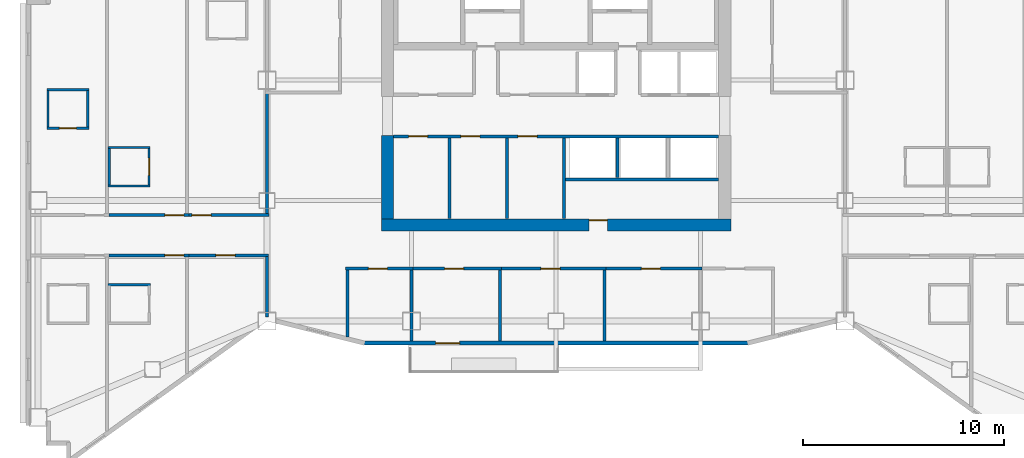
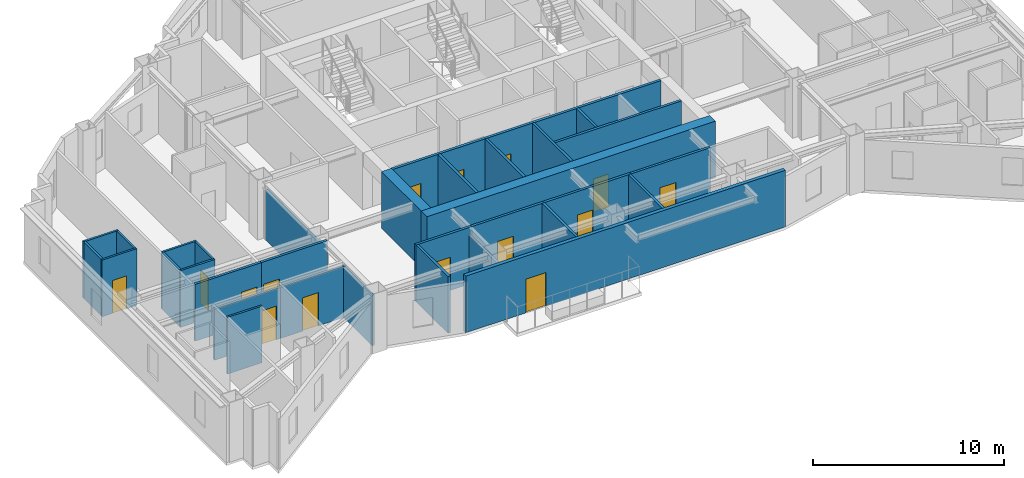
# One storey, part 5 of 13: 32 walls, 15 doors, 15 openings.
"""IFC4 building model written with IfcOpenShell, lengths in metres."""

from ifc_helpers import new_model, si_unit, direction, frame, frame_2d, origin, place, context, subcontext, project, spatial, rectangle, extrude, material, layer, layer_set, type_object, element, fill, save


model = new_model("IFC4")

# Units and contexts
model_context = context("Model", 3, precision=1e-05, world=origin(), true_north=direction((0.0, 1.0)))
body_context = subcontext(model_context, "Body", "Model", "MODEL_VIEW")
ifc_project = project(units=[si_unit("LENGTHUNIT", "METRE"), si_unit("AREAUNIT", "SQUARE_METRE"), si_unit("VOLUMEUNIT", "CUBIC_METRE"), si_unit("PLANEANGLEUNIT", "RADIAN"), si_unit("MASSUNIT", "GRAM", prefix="KILO")], contexts=[model_context])

# Site, building, storey
site_placement = place(None, origin())
site = spatial("IfcSite", under=ifc_project, at=site_placement, CompositionType="ELEMENT")
building_placement = place(site_placement, origin())
building = spatial("IfcBuilding", under=site, at=building_placement, Name="Haolan Belvedere Tower", CompositionType="ELEMENT")
storey_placement = place(building_placement, frame((0.0, 0.0, 219.199951171875)))
storey = spatial("IfcBuildingStorey", under=building, at=storey_placement, Name="L55", CompositionType="ELEMENT", Elevation=219.199951171875)

# Wall, opening, door
ifc_material_1 = material(Name="Concrete C60/75", Category="concrete")
ifc_layer_1 = layer(ifc_material_1, 0.60009765625, Name="Concrete C60/75")
ifc_layer_set_1 = layer_set([ifc_layer_1], Name="Concrete C60/75")
wall_type_1 = type_object("IfcWallType", Name="WL-CORE-600", PredefinedType="SHEAR", material=ifc_layer_set_1)
wall_1_placement = place(storey_placement, frame((29.699951171875, 26.39990234375, 0.0), z_axis=(0.0, 0.0, 1.0), x_axis=(1.0, 0.0, 0.0)))
wall_1 = element("IfcWall", 1, at=wall_1_placement, inside=storey, type_object=wall_type_1, Name="L55 central core south shear wall", PredefinedType="SHEAR", context=body_context, shape_type="SweptSolid", body=[
    extrude(rectangle(XDim=17.400146484375, YDim=0.60009765625, at=frame_2d((8.7001953125, 0.0))), origin(), (0.0, 0.0, 1.0), 3.6201171875),
])
opening_1_placement = place(wall_1_placement, frame((11.25, 0.0, 0.0), z_axis=(0.0, 0.0, 1.0), x_axis=(-1.0, 0.0, 0.0)))
opening_1 = element("IfcOpeningElement", 2, at=opening_1_placement, cuts=wall_1, Name="Opening FD-05", PredefinedType="OPENING", context=body_context, shape_type="SweptSolid", body=[
    extrude(rectangle(XDim=0.89990234375, YDim=2.10009765625, at=frame_2d((0.449951171875, 1.050048828125))), frame((0.0, 0.31005859375, 0.0), z_axis=(0.0, -1.0, 0.0), x_axis=(1.0, 0.0, 0.0)), (0.0, 0.0, 1.0), 0.6201171875),
])
ifc_material_2 = material(Name="Galvanised fire-rated steel", Category="steel")
door_type_1 = type_object("IfcDoorType", Name="DR-FD60-900", OperationType="NOTDEFINED", PredefinedType="DOOR", material=ifc_material_2)
door_1_placement = place(opening_1_placement, origin())
door_1 = element("IfcDoor", 3, at=door_1_placement, inside=storey, type_object=door_type_1, Name="L55 door CD-L55-SCVE", OperationType="SINGLE_SWING_RIGHT", OverallHeight=2.10009765625, OverallWidth=0.89990234375, PredefinedType="DOOR", context=body_context, shape_type="SweptSolid", body=[
    extrude(rectangle(XDim=0.89990234375, YDim=2.10009765625, at=frame_2d((0.449951171875, 1.050048828125))), frame((0.0, -0.19482421875, 0.0), z_axis=(0.0, -1.0, 0.0), x_axis=(1.0, 0.0, 0.0)), (0.0, 0.0, 1.0), 0.050048828125),
])
fill(opening_1, door_1)

# Wall
wall_2_placement = place(storey_placement, frame((30.0, 26.699951171875, 0.0), z_axis=(0.0, 0.0, 1.0), x_axis=(0.0, 1.0, 0.0)))
element("IfcWall", 4, at=wall_2_placement, inside=storey, type_object=wall_type_1, Name="L55 central core shear wall WS", PredefinedType="SHEAR", context=body_context, shape_type="SweptSolid", body=[
    extrude(rectangle(XDim=4.150146484375, YDim=0.60009765625, at=frame_2d((2.0751953125, 0.0))), origin(), (0.0, 0.0, 1.0), 3.6201171875),
])

# Wall, opening, door
ifc_material_3 = material(Name="Precast concrete C40/50", Category="concrete")
ifc_layer_2 = layer(ifc_material_3, 0.219970703125, Name="Precast concrete C40/50")
ifc_layer_set_2 = layer_set([ifc_layer_2], Name="Precast concrete C40/50")
wall_type_2 = type_object("IfcWallType", Name="WL-EXT-220", PredefinedType="SOLIDWALL", material=ifc_layer_set_2)
wall_3_placement = place(storey_placement, frame((28.758544921875, 20.510009765625, 0.0), z_axis=(0.0, 0.0, 1.0), x_axis=(1.0, 0.0, 0.0)))
wall_3 = element("IfcWall", 5, at=wall_3_placement, inside=storey, type_object=wall_type_2, Name="L55 pale-metal exterior spandrel wall 1.1", PredefinedType="SOLIDWALL", context=body_context, shape_type="SweptSolid", body=[
    extrude(rectangle(XDim=19.282958984375, YDim=0.219970703125, at=frame_2d((9.6416015625, 0.0))), origin(), (0.0, 0.0, 1.0), 3.6201171875),
])
opening_2_placement = place(wall_3_placement, frame((4.841552734375, 0.0, 0.0), z_axis=(0.0, 0.0, 1.0), x_axis=(-1.0, 0.0, 0.0)))
opening_2 = element("IfcOpeningElement", 6, at=opening_2_placement, cuts=wall_3, Name="Opening BD-01", PredefinedType="OPENING", context=body_context, shape_type="SweptSolid", body=[
    extrude(rectangle(XDim=1.199951171875, YDim=2.14990234375, at=frame_2d((0.60009765625, 1.074951171875))), frame((0.0, 0.119873046875, 0.0), z_axis=(0.0, -1.0, 0.0), x_axis=(1.0, 0.0, 0.0)), (0.0, 0.0, 1.0), 0.239990234375),
])
ifc_material_4 = material(Name="Thermally broken pale-metal aluminium and Low-E glass", Category="aluminium")
door_type_2 = type_object("IfcDoorType", Name="DR-BAL-1200", OperationType="NOTDEFINED", PredefinedType="DOOR", material=ifc_material_4)
door_2_placement = place(opening_2_placement, origin())
door_2 = element("IfcDoor", 7, at=door_2_placement, inside=storey, type_object=door_type_2, Name="L55 tree-balcony access door 1", OperationType="SINGLE_SWING_LEFT", OverallHeight=2.14990234375, OverallWidth=1.199951171875, PredefinedType="DOOR", context=body_context, shape_type="SweptSolid", body=[
    extrude(rectangle(XDim=1.199951171875, YDim=2.14990234375, at=frame_2d((0.60009765625, 1.074951171875))), frame((0.0, 0.02490234375, 0.0), z_axis=(0.0, -1.0, 0.0), x_axis=(1.0, 0.0, 0.0)), (0.0, 0.0, 1.0), 0.050048828125),
])
fill(opening_2, door_2)

# Walls
ifc_material_5 = material(Name="Double gypsum acoustic stud partition", Category="masonry")
ifc_layer_3 = layer(ifc_material_5, 0.14990234375, Name="Double gypsum acoustic stud partition")
ifc_layer_set_3 = layer_set([ifc_layer_3], Name="Double gypsum acoustic stud partition")
wall_type_3 = type_object("IfcWallType", Name="WL-PART-150", PredefinedType="PARTITIONING", material=ifc_layer_set_3)
for number, where, z_axis, x_axis, name in (
    (8, (33.10009765625, 26.7099609375, 0.0), (0.0, 0.0, 1.0), (0.0, 1.0, 0.0), "L55 interior partition IW-L55-DIV-REUSE-PM1"),
    (9, (35.949951171875, 26.7099609375, 0.0), (0.0, 0.0, 1.0), (0.0, 1.0, 0.0), "L55 interior partition IW-L55-DIV-REUSE-PM2"),
):
    element("IfcWall", number, at=place(storey_placement, frame(where, z_axis=z_axis, x_axis=x_axis)), inside=storey, type_object=wall_type_3, Name=name, PredefinedType="PARTITIONING", context=body_context, shape_type="SweptSolid", body=[
        extrude(rectangle(XDim=4.025146484375, YDim=0.14990234375, at=frame_2d((2.0126953125, 0.0))), origin(), (0.0, 0.0, 1.0), 3.6201171875),
    ])
wall_4_placement = place(storey_placement, frame((38.860107421875, 28.659912109375, 0.0), z_axis=(0.0, 0.0, 1.0), x_axis=(1.0, 0.0, 0.0)))
element("IfcWall", 10, at=wall_4_placement, inside=storey, type_object=wall_type_3, Name="L55 interior partition IW-L55-SSTRIP-E", PredefinedType="PARTITIONING", context=body_context, shape_type="SweptSolid", body=[
    extrude(rectangle(XDim=7.639892578125, YDim=0.14990234375, at=frame_2d((3.81982421875, 0.0))), origin(), (0.0, 0.0, 1.0), 3.6201171875),
])

# Wall, opening, door
wall_5_placement = place(storey_placement, frame((27.919921875, 24.219970703125, 0.0), z_axis=(0.0, 0.0, 1.0), x_axis=(1.0, 0.0, 0.0)))
wall_5 = element("IfcWall", 11, at=wall_5_placement, inside=storey, type_object=wall_type_3, Name="L55 interior partition IW-L55-KS2-N", PredefinedType="PARTITIONING", context=body_context, shape_type="SweptSolid", body=[
    extrude(rectangle(XDim=3.360107421875, YDim=0.14990234375, at=frame_2d((1.68017578125, 0.0))), origin(), (0.0, 0.0, 1.0), 3.6201171875),
])
opening_3_placement = place(wall_5_placement, frame((2.074951171875, 0.0, 0.0), z_axis=(0.0, 0.0, 1.0), x_axis=(-1.0, 0.0, 0.0)))
opening_3 = element("IfcOpeningElement", 12, at=opening_3_placement, cuts=wall_5, Name="Opening ID-03", PredefinedType="OPENING", context=body_context, shape_type="SweptSolid", body=[
    extrude(rectangle(XDim=0.949951171875, YDim=2.1201171875, at=frame_2d((0.47509765625, 1.06005859375))), frame((0.0, 0.0849609375, 0.0), z_axis=(0.0, -1.0, 0.0), x_axis=(1.0, 0.0, 0.0)), (0.0, 0.0, 1.0), 0.169921875),
])
ifc_material_6 = material(Name="Painted solid-core timber", Category="wood")
door_type_3 = type_object("IfcDoorType", Name="DR-INT-950", OperationType="NOTDEFINED", PredefinedType="DOOR", material=ifc_material_6)
door_3_placement = place(opening_3_placement, origin())
door_3 = element("IfcDoor", 13, at=door_3_placement, inside=storey, type_object=door_type_3, Name="L55 door ID-L55-KS2", OperationType="SINGLE_SWING_RIGHT", OverallHeight=2.1201171875, OverallWidth=0.949951171875, PredefinedType="DOOR", context=body_context, shape_type="SweptSolid", body=[
    extrude(rectangle(XDim=0.949951171875, YDim=2.1201171875, at=frame_2d((0.47509765625, 1.06005859375))), frame((0.0, 0.02490234375, 0.0), z_axis=(0.0, -1.0, 0.0), x_axis=(1.0, 0.0, 0.0)), (0.0, 0.0, 1.0), 0.050048828125),
])
fill(opening_3, door_3)

# Walls
wall_6_placement = place(storey_placement, frame((28.0, 20.818603515625, 0.0), z_axis=(0.0, 0.0, 1.0), x_axis=(0.0, 1.0, 0.0)))
element("IfcWall", 14, at=wall_6_placement, inside=storey, type_object=wall_type_3, Name="L55 interior partition IW-L55-KS2-W", PredefinedType="PARTITIONING", context=body_context, shape_type="SweptSolid", body=[
    extrude(rectangle(XDim=3.34130859375, YDim=0.14990234375, at=frame_2d((1.670654296875, 0.0))), origin(), (0.0, 0.0, 1.0), 3.6201171875),
])
wall_7_placement = place(storey_placement, frame((31.199951171875, 20.612060546875, 0.0), z_axis=(0.0, 0.0, 1.0), x_axis=(0.0, 1.0, 0.0)))
element("IfcWall", 15, at=wall_7_placement, inside=storey, type_object=wall_type_3, Name="L55 interior partition IW-L55-KS2-E", PredefinedType="PARTITIONING", context=body_context, shape_type="SweptSolid", body=[
    extrude(rectangle(XDim=3.5478515625, YDim=0.14990234375, at=frame_2d((1.77392578125, 0.0))), origin(), (0.0, 0.0, 1.0), 3.10498046875),
])

# Wall, opening, door
wall_8_placement = place(storey_placement, frame((31.281982421875, 24.219970703125, 0.0), z_axis=(0.0, 0.0, 1.0), x_axis=(1.0, 0.0, 0.0)))
wall_8 = element("IfcWall", 16, at=wall_8_placement, inside=storey, type_object=wall_type_3, Name="L55 interior partition IW-L55-KS3-N", PredefinedType="PARTITIONING", context=body_context, shape_type="SweptSolid", body=[
    extrude(rectangle(XDim=4.39794921875, YDim=0.14990234375, at=frame_2d((2.198974609375, 0.0))), origin(), (0.0, 0.0, 1.0), 3.6201171875),
])
opening_4_placement = place(wall_8_placement, frame((2.512939453125, 0.0, 0.0), z_axis=(0.0, 0.0, 1.0), x_axis=(-1.0, 0.0, 0.0)))
opening_4 = element("IfcOpeningElement", 17, at=opening_4_placement, cuts=wall_8, Name="Opening ID-03", PredefinedType="OPENING", context=body_context, shape_type="SweptSolid", body=[
    extrude(rectangle(XDim=0.949951171875, YDim=2.1201171875, at=frame_2d((0.47509765625, 1.06005859375))), frame((0.0, 0.0849609375, 0.0), z_axis=(0.0, -1.0, 0.0), x_axis=(1.0, 0.0, 0.0)), (0.0, 0.0, 1.0), 0.169921875),
])
door_4_placement = place(opening_4_placement, origin())
door_4 = element("IfcDoor", 18, at=door_4_placement, inside=storey, type_object=door_type_3, Name="L55 door ID-L55-KS3", OperationType="SINGLE_SWING_LEFT", OverallHeight=2.1201171875, OverallWidth=0.949951171875, PredefinedType="DOOR", context=body_context, shape_type="SweptSolid", body=[
    extrude(rectangle(XDim=0.949951171875, YDim=2.1201171875, at=frame_2d((0.47509765625, 1.06005859375))), frame((0.0, 0.02490234375, 0.0), z_axis=(0.0, -1.0, 0.0), x_axis=(1.0, 0.0, 0.0)), (0.0, 0.0, 1.0), 0.050048828125),
])
fill(opening_4, door_4)

# Wall
wall_9_placement = place(storey_placement, frame((35.60009765625, 20.612060546875, 0.0), z_axis=(0.0, 0.0, 1.0), x_axis=(0.0, 1.0, 0.0)))
element("IfcWall", 19, at=wall_9_placement, inside=storey, type_object=wall_type_3, Name="L55 interior partition IW-L55-KS3-E", PredefinedType="PARTITIONING", context=body_context, shape_type="SweptSolid", body=[
    extrude(rectangle(XDim=3.5478515625, YDim=0.14990234375, at=frame_2d((1.77392578125, 0.0))), origin(), (0.0, 0.0, 1.0), 3.6201171875),
])

# Wall, opening, door
wall_10_placement = place(storey_placement, frame((35.681884765625, 24.219970703125, 0.0), z_axis=(0.0, 0.0, 1.0), x_axis=(1.0, 0.0, 0.0)))
wall_10 = element("IfcWall", 20, at=wall_10_placement, inside=storey, type_object=wall_type_3, Name="L55 interior partition IW-L55-KS4-N", PredefinedType="PARTITIONING", context=body_context, shape_type="SweptSolid", body=[
    extrude(rectangle(XDim=5.197998046875, YDim=0.14990234375, at=frame_2d((2.59912109375, 0.0))), origin(), (0.0, 0.0, 1.0), 3.6201171875),
])
opening_5_placement = place(wall_10_placement, frame((2.912841796875, 0.0, 0.0), z_axis=(0.0, 0.0, 1.0), x_axis=(-1.0, 0.0, 0.0)))
opening_5 = element("IfcOpeningElement", 21, at=opening_5_placement, cuts=wall_10, Name="Opening ID-03", PredefinedType="OPENING", context=body_context, shape_type="SweptSolid", body=[
    extrude(rectangle(XDim=0.949951171875, YDim=2.1201171875, at=frame_2d((0.47509765625, 1.06005859375))), frame((0.0, 0.0849609375, 0.0), z_axis=(0.0, -1.0, 0.0), x_axis=(1.0, 0.0, 0.0)), (0.0, 0.0, 1.0), 0.169921875),
])
door_5_placement = place(opening_5_placement, origin())
door_5 = element("IfcDoor", 22, at=door_5_placement, inside=storey, type_object=door_type_3, Name="L55 door ID-L55-KS4", OperationType="SINGLE_SWING_RIGHT", OverallHeight=2.1201171875, OverallWidth=0.949951171875, PredefinedType="DOOR", context=body_context, shape_type="SweptSolid", body=[
    extrude(rectangle(XDim=0.949951171875, YDim=2.1201171875, at=frame_2d((0.47509765625, 1.06005859375))), frame((0.0, 0.02490234375, 0.0), z_axis=(0.0, -1.0, 0.0), x_axis=(1.0, 0.0, 0.0)), (0.0, 0.0, 1.0), 0.050048828125),
])
fill(opening_5, door_5)

# Wall
wall_11_placement = place(storey_placement, frame((40.800048828125, 20.612060546875, 0.0), z_axis=(0.0, 0.0, 1.0), x_axis=(0.0, 1.0, 0.0)))
element("IfcWall", 23, at=wall_11_placement, inside=storey, type_object=wall_type_3, Name="L55 interior partition IW-L55-KS4-E", PredefinedType="PARTITIONING", context=body_context, shape_type="SweptSolid", body=[
    extrude(rectangle(XDim=3.5478515625, YDim=0.14990234375, at=frame_2d((1.77392578125, 0.0))), origin(), (0.0, 0.0, 1.0), 3.6201171875),
])

# Wall, opening, door
wall_12_placement = place(storey_placement, frame((40.882080078125, 24.219970703125, 0.0), z_axis=(0.0, 0.0, 1.0), x_axis=(1.0, 0.0, 0.0)))
wall_12 = element("IfcWall", 24, at=wall_12_placement, inside=storey, type_object=wall_type_3, Name="L55 interior partition IW-L55-KS5-N", PredefinedType="PARTITIONING", context=body_context, shape_type="SweptSolid", body=[
    extrude(rectangle(XDim=4.7978515625, YDim=0.14990234375, at=frame_2d((2.39892578125, 0.0))), origin(), (0.0, 0.0, 1.0), 3.6201171875),
])
opening_6_placement = place(wall_12_placement, frame((2.712890625, 0.0, 0.0), z_axis=(0.0, 0.0, 1.0), x_axis=(-1.0, 0.0, 0.0)))
opening_6 = element("IfcOpeningElement", 25, at=opening_6_placement, cuts=wall_12, Name="Opening ID-03", PredefinedType="OPENING", context=body_context, shape_type="SweptSolid", body=[
    extrude(rectangle(XDim=0.949951171875, YDim=2.1201171875, at=frame_2d((0.47509765625, 1.06005859375))), frame((0.0, 0.0849609375, 0.0), z_axis=(0.0, -1.0, 0.0), x_axis=(1.0, 0.0, 0.0)), (0.0, 0.0, 1.0), 0.169921875),
])
door_6_placement = place(opening_6_placement, origin())
door_6 = element("IfcDoor", 26, at=door_6_placement, inside=storey, type_object=door_type_3, Name="L55 door ID-L55-KS5", OperationType="SINGLE_SWING_LEFT", OverallHeight=2.1201171875, OverallWidth=0.949951171875, PredefinedType="DOOR", context=body_context, shape_type="SweptSolid", body=[
    extrude(rectangle(XDim=0.949951171875, YDim=2.1201171875, at=frame_2d((0.47509765625, 1.06005859375))), frame((0.0, 0.02490234375, 0.0), z_axis=(0.0, -1.0, 0.0), x_axis=(1.0, 0.0, 0.0)), (0.0, 0.0, 1.0), 0.050048828125),
])
fill(opening_6, door_6)

wall_13_placement = place(storey_placement, frame((16.132080078125, 26.8798828125, 0.0), z_axis=(0.0, 0.0, 1.0), x_axis=(1.0, 0.0, 0.0)))
wall_13 = element("IfcWall", 27, at=wall_13_placement, inside=storey, type_object=wall_type_3, Name="L55 interior partition IW-L55-T2N2-S", PredefinedType="PARTITIONING", context=body_context, shape_type="SweptSolid", body=[
    extrude(rectangle(XDim=3.988037109375, YDim=0.14990234375, at=frame_2d((1.994140625, 0.0))), origin(), (0.0, 0.0, 1.0), 3.6201171875),
])
opening_7_placement = place(wall_13_placement, frame((2.781005859375, 0.0, 0.0)))
opening_7 = element("IfcOpeningElement", 28, at=opening_7_placement, cuts=wall_13, Name="Opening ID-02", PredefinedType="OPENING", context=body_context, shape_type="SweptSolid", body=[
    extrude(rectangle(XDim=0.949951171875, YDim=2.14990234375, at=frame_2d((0.47509765625, 1.074951171875))), frame((0.0, 0.0849609375, 0.0), z_axis=(0.0, -1.0, 0.0), x_axis=(1.0, 0.0, 0.0)), (0.0, 0.0, 1.0), 0.169921875),
])
ifc_material_7 = material(Name="Acoustic oak veneer fire-rated timber", Category="wood")
door_type_4 = type_object("IfcDoorType", Name="DR-GUEST-950", OperationType="NOTDEFINED", PredefinedType="DOOR", material=ifc_material_7)
door_7_placement = place(opening_7_placement, origin())
door_7 = element("IfcDoor", 29, at=door_7_placement, inside=storey, type_object=door_type_4, Name="L55 door ID-L55-T2N2-ENT", OperationType="SINGLE_SWING_LEFT", OverallHeight=2.14990234375, OverallWidth=0.949951171875, PredefinedType="DOOR", context=body_context, shape_type="SweptSolid", body=[
    extrude(rectangle(XDim=0.949951171875, YDim=2.14990234375, at=frame_2d((0.47509765625, 1.074951171875))), frame((0.0, 0.02490234375, 0.0), z_axis=(0.0, -1.0, 0.0), x_axis=(1.0, 0.0, 0.0)), (0.0, 0.0, 1.0), 0.050048828125),
])
fill(opening_7, door_7)

wall_14_placement = place(storey_placement, frame((20.1220703125, 26.8798828125, 0.0), z_axis=(0.0, 0.0, 1.0), x_axis=(1.0, 0.0, 0.0)))
wall_14 = element("IfcWall", 30, at=wall_14_placement, inside=storey, type_object=wall_type_3, Name="L55 interior partition IW-L55-T2N3-S", PredefinedType="PARTITIONING", context=body_context, shape_type="SweptSolid", body=[
    extrude(rectangle(XDim=3.97802734375, YDim=0.14990234375, at=frame_2d((1.989013671875, 0.0))), origin(), (0.0, 0.0, 1.0), 3.6201171875),
])
opening_8_placement = place(wall_14_placement, frame((0.139892578125, 0.0, 0.0)))
opening_8 = element("IfcOpeningElement", 31, at=opening_8_placement, cuts=wall_14, Name="Opening ID-01", PredefinedType="OPENING", context=body_context, shape_type="SweptSolid", body=[
    extrude(rectangle(XDim=0.949951171875, YDim=2.179931640625, at=frame_2d((0.47509765625, 1.08984375))), frame((0.0, 0.0849609375, 0.0), z_axis=(0.0, -1.0, 0.0), x_axis=(1.0, 0.0, 0.0)), (0.0, 0.0, 1.0), 0.169921875),
])
ifc_material_8 = material(Name="Acoustic walnut veneer fire-rated timber", Category="wood")
door_type_5 = type_object("IfcDoorType", Name="DR-SUITE-950", OperationType="NOTDEFINED", PredefinedType="DOOR", material=ifc_material_8)
door_8_placement = place(opening_8_placement, origin())
door_8 = element("IfcDoor", 32, at=door_8_placement, inside=storey, type_object=door_type_5, Name="L55 door ID-L55-T2N3-ENT", OperationType="SINGLE_SWING_RIGHT", OverallHeight=2.179931640625, OverallWidth=0.949951171875, PredefinedType="DOOR", context=body_context, shape_type="SweptSolid", body=[
    extrude(rectangle(XDim=0.949951171875, YDim=2.179931640625, at=frame_2d((0.47509765625, 1.08984375))), frame((0.0, 0.02490234375, 0.0), z_axis=(0.0, -1.0, 0.0), x_axis=(1.0, 0.0, 0.0)), (0.0, 0.0, 1.0), 0.050048828125),
])
fill(opening_8, door_8)

# Wall
wall_15_placement = place(storey_placement, frame((24.0, 26.93994140625, 0.0), z_axis=(0.0, 0.0, 1.0), x_axis=(0.0, 1.0, 0.0)))
element("IfcWall", 33, at=wall_15_placement, inside=storey, type_object=wall_type_3, Name="L55 interior partition IW-L55-T2N3-E", PredefinedType="PARTITIONING", context=body_context, shape_type="SweptSolid", body=[
    extrude(rectangle(XDim=6.0, YDim=0.14990234375, at=frame_2d((3.0, 0.0))), origin(), (0.0, 0.0, 1.0), 3.215087890625),
])

# Wall, opening, door
wall_16_placement = place(storey_placement, frame((16.132080078125, 24.8701171875, 0.0), z_axis=(0.0, 0.0, 1.0), x_axis=(1.0, 0.0, 0.0)))
wall_16 = element("IfcWall", 34, at=wall_16_placement, inside=storey, type_object=wall_type_3, Name="L55 interior partition IW-L55-T2S2-N", PredefinedType="PARTITIONING", context=body_context, shape_type="SweptSolid", body=[
    extrude(rectangle(XDim=3.988037109375, YDim=0.14990234375, at=frame_2d((1.994140625, 0.0))), origin(), (0.0, 0.0, 1.0), 3.255126953125),
])
opening_9_placement = place(wall_16_placement, frame((3.73095703125, 0.0, 0.0), z_axis=(0.0, 0.0, 1.0), x_axis=(-1.0, 0.0, 0.0)))
opening_9 = element("IfcOpeningElement", 35, at=opening_9_placement, cuts=wall_16, Name="Opening ID-02", PredefinedType="OPENING", context=body_context, shape_type="SweptSolid", body=[
    extrude(rectangle(XDim=0.949951171875, YDim=2.14990234375, at=frame_2d((0.47509765625, 1.074951171875))), frame((0.0, 0.0849609375, 0.0), z_axis=(0.0, -1.0, 0.0), x_axis=(1.0, 0.0, 0.0)), (0.0, 0.0, 1.0), 0.169921875),
])
door_9_placement = place(opening_9_placement, origin())
door_9 = element("IfcDoor", 36, at=door_9_placement, inside=storey, type_object=door_type_4, Name="L55 door ID-L55-T2S2-ENT", OperationType="SINGLE_SWING_RIGHT", OverallHeight=2.14990234375, OverallWidth=0.949951171875, PredefinedType="DOOR", context=body_context, shape_type="SweptSolid", body=[
    extrude(rectangle(XDim=0.949951171875, YDim=2.14990234375, at=frame_2d((0.47509765625, 1.074951171875))), frame((0.0, 0.02490234375, 0.0), z_axis=(0.0, -1.0, 0.0), x_axis=(1.0, 0.0, 0.0)), (0.0, 0.0, 1.0), 0.050048828125),
])
fill(opening_9, door_9)

wall_17_placement = place(storey_placement, frame((20.1220703125, 24.8701171875, 0.0), z_axis=(0.0, 0.0, 1.0), x_axis=(1.0, 0.0, 0.0)))
wall_17 = element("IfcWall", 37, at=wall_17_placement, inside=storey, type_object=wall_type_3, Name="L55 interior partition IW-L55-T2S3-N", PredefinedType="PARTITIONING", context=body_context, shape_type="SweptSolid", body=[
    extrude(rectangle(XDim=3.9580078125, YDim=0.14990234375, at=frame_2d((1.97900390625, 0.0))), origin(), (0.0, 0.0, 1.0), 3.255126953125),
])
opening_10_placement = place(wall_17_placement, frame((2.282958984375, 0.0, 0.0), z_axis=(0.0, 0.0, 1.0), x_axis=(-1.0, 0.0, 0.0)))
opening_10 = element("IfcOpeningElement", 38, at=opening_10_placement, cuts=wall_17, Name="Opening ID-03", PredefinedType="OPENING", context=body_context, shape_type="SweptSolid", body=[
    extrude(rectangle(XDim=0.949951171875, YDim=2.1201171875, at=frame_2d((0.47509765625, 1.06005859375))), frame((0.0, 0.0849609375, 0.0), z_axis=(0.0, -1.0, 0.0), x_axis=(1.0, 0.0, 0.0)), (0.0, 0.0, 1.0), 0.169921875),
])
door_10_placement = place(opening_10_placement, origin())
door_10 = element("IfcDoor", 39, at=door_10_placement, inside=storey, type_object=door_type_3, Name="L55 door ID-L55-T2S3", OperationType="SINGLE_SWING_LEFT", OverallHeight=2.1201171875, OverallWidth=0.949951171875, PredefinedType="DOOR", context=body_context, shape_type="SweptSolid", body=[
    extrude(rectangle(XDim=0.949951171875, YDim=2.1201171875, at=frame_2d((0.47509765625, 1.06005859375))), frame((0.0, 0.02490234375, 0.0), z_axis=(0.0, -1.0, 0.0), x_axis=(1.0, 0.0, 0.0)), (0.0, 0.0, 1.0), 0.050048828125),
])
fill(opening_10, door_10)

# Wall
wall_18_placement = place(storey_placement, frame((24.0, 21.818603515625, 0.0), z_axis=(0.0, 0.0, 1.0), x_axis=(0.0, 1.0, 0.0)))
element("IfcWall", 40, at=wall_18_placement, inside=storey, type_object=wall_type_3, Name="L55 interior partition IW-L55-T2S3-E", PredefinedType="PARTITIONING", context=body_context, shape_type="SweptSolid", body=[
    extrude(rectangle(XDim=2.991455078125, YDim=0.14990234375, at=frame_2d((1.49560546875, 0.0))), origin(), (0.0, 0.0, 1.0), 3.215087890625),
])

# Wall, openings, doors
ifc_material_9 = material(Name="Gypsum fire shaftwall assembly", Category="masonry")
ifc_layer_4 = layer(ifc_material_9, 0.1650390625, Name="Gypsum fire shaftwall assembly")
ifc_layer_set_4 = layer_set([ifc_layer_4], Name="Gypsum fire shaftwall assembly")
wall_type_4 = type_object("IfcWallType", Name="WL-SHAFT-160", PredefinedType="SOLIDWALL", material=ifc_layer_set_4)
wall_19_placement = place(storey_placement, frame((30.300048828125, 30.800048828125, 0.0), z_axis=(0.0, 0.0, 1.0), x_axis=(1.0, 0.0, 0.0)))
wall_19 = element("IfcWall", 41, at=wall_19_placement, inside=storey, type_object=wall_type_4, Name="L55 interior partition IW-L55-ROW-PS", PredefinedType="SOLIDWALL", context=body_context, shape_type="SweptSolid", body=[
    extrude(rectangle(XDim=16.199951171875, YDim=0.159912109375, at=frame_2d((8.10009765625, 0.0))), origin(), (0.0, 0.0, 1.0), 3.6201171875),
])
opening_11_placement = place(wall_19_placement, frame((0.75, 0.0, 0.0)))
opening_11 = element("IfcOpeningElement", 42, at=opening_11_placement, cuts=wall_19, Name="Opening ID-03", PredefinedType="OPENING", context=body_context, shape_type="SweptSolid", body=[
    extrude(rectangle(XDim=0.949951171875, YDim=2.1201171875, at=frame_2d((0.47509765625, 1.06005859375))), frame((0.0, 0.08984375, 0.0), z_axis=(0.0, -1.0, 0.0), x_axis=(1.0, 0.0, 0.0)), (0.0, 0.0, 1.0), 0.179931640625),
])
opening_12_placement = place(wall_19_placement, frame((3.35009765625, 0.0, 0.0)))
opening_12 = element("IfcOpeningElement", 43, at=opening_12_placement, cuts=wall_19, Name="Opening ID-03", PredefinedType="OPENING", context=body_context, shape_type="SweptSolid", body=[
    extrude(rectangle(XDim=0.949951171875, YDim=2.1201171875, at=frame_2d((0.47509765625, 1.06005859375))), frame((0.0, 0.08984375, 0.0), z_axis=(0.0, -1.0, 0.0), x_axis=(1.0, 0.0, 0.0)), (0.0, 0.0, 1.0), 0.179931640625),
])
opening_13_placement = place(wall_19_placement, frame((6.199951171875, 0.0, 0.0)))
opening_13 = element("IfcOpeningElement", 44, at=opening_13_placement, cuts=wall_19, Name="Opening ID-03", PredefinedType="OPENING", context=body_context, shape_type="SweptSolid", body=[
    extrude(rectangle(XDim=0.949951171875, YDim=2.1201171875, at=frame_2d((0.47509765625, 1.06005859375))), frame((0.0, 0.08984375, 0.0), z_axis=(0.0, -1.0, 0.0), x_axis=(1.0, 0.0, 0.0)), (0.0, 0.0, 1.0), 0.179931640625),
])
door_11_placement = place(opening_11_placement, origin())
door_11 = element("IfcDoor", 45, at=door_11_placement, inside=storey, type_object=door_type_3, Name="L55 door ID-L55-CD-RPMA", OperationType="SINGLE_SWING_LEFT", OverallHeight=2.1201171875, OverallWidth=0.949951171875, PredefinedType="DOOR", context=body_context, shape_type="SweptSolid", body=[
    extrude(rectangle(XDim=0.949951171875, YDim=2.1201171875, at=frame_2d((0.47509765625, 1.06005859375))), frame((0.0, 0.02490234375, 0.0), z_axis=(0.0, -1.0, 0.0), x_axis=(1.0, 0.0, 0.0)), (0.0, 0.0, 1.0), 0.050048828125),
])
fill(opening_11, door_11)
door_12_placement = place(opening_12_placement, origin())
door_12 = element("IfcDoor", 46, at=door_12_placement, inside=storey, type_object=door_type_3, Name="L55 door ID-L55-CD-RPMB", OperationType="SINGLE_SWING_RIGHT", OverallHeight=2.1201171875, OverallWidth=0.949951171875, PredefinedType="DOOR", context=body_context, shape_type="SweptSolid", body=[
    extrude(rectangle(XDim=0.949951171875, YDim=2.1201171875, at=frame_2d((0.47509765625, 1.06005859375))), frame((0.0, 0.02490234375, 0.0), z_axis=(0.0, -1.0, 0.0), x_axis=(1.0, 0.0, 0.0)), (0.0, 0.0, 1.0), 0.050048828125),
])
fill(opening_12, door_12)
door_13_placement = place(opening_13_placement, origin())
door_13 = element("IfcDoor", 47, at=door_13_placement, inside=storey, type_object=door_type_3, Name="L55 door ID-L55-CD-RPMC", OperationType="SINGLE_SWING_LEFT", OverallHeight=2.1201171875, OverallWidth=0.949951171875, PredefinedType="DOOR", context=body_context, shape_type="SweptSolid", body=[
    extrude(rectangle(XDim=0.949951171875, YDim=2.1201171875, at=frame_2d((0.47509765625, 1.06005859375))), frame((0.0, 0.02490234375, 0.0), z_axis=(0.0, -1.0, 0.0), x_axis=(1.0, 0.0, 0.0)), (0.0, 0.0, 1.0), 0.050048828125),
])
fill(opening_13, door_13)

# Walls
wall_20_placement = place(storey_placement, frame((38.800048828125, 26.7099609375, 0.0), z_axis=(0.0, 0.0, 1.0), x_axis=(0.0, 1.0, 0.0)))
element("IfcWall", 48, at=wall_20_placement, inside=storey, type_object=wall_type_4, Name="L55 interior partition IW-L55-DIV-PM-OB", PredefinedType="SOLIDWALL", context=body_context, shape_type="SweptSolid", body=[
    extrude(rectangle(XDim=4.025146484375, YDim=0.14990234375, at=frame_2d((2.0126953125, 0.0))), origin(), (0.0, 0.0, 1.0), 3.6201171875),
])
wall_21_placement = place(storey_placement, frame((41.469970703125, 28.75, 0.0), z_axis=(0.0, 0.0, 1.0), x_axis=(0.0, 1.0, 0.0)))
element("IfcWall", 49, at=wall_21_placement, inside=storey, type_object=wall_type_4, Name="L55 interior partition IW-L55-DIV-OB1", PredefinedType="SOLIDWALL", context=body_context, shape_type="SweptSolid", body=[
    extrude(rectangle(XDim=1.985107421875, YDim=0.14990234375, at=frame_2d((0.99267578125, 0.0))), origin(), (0.0, 0.0, 1.0), 3.6201171875),
])
ifc_material_10 = material(Name="Moisture-resistant gypsum tile partition", Category="masonry")
ifc_layer_5 = layer(ifc_material_10, 0.1201171875, Name="Moisture-resistant gypsum tile partition")
ifc_layer_set_5 = layer_set([ifc_layer_5], Name="Moisture-resistant gypsum tile partition")
wall_type_5 = type_object("IfcWallType", Name="WL-WET-120", PredefinedType="PARTITIONING", material=ifc_layer_set_5)
wall_22_placement = place(storey_placement, frame((13.030029296875, 33.135009765625, 0.0), z_axis=(0.0, 0.0, 1.0), x_axis=(1.0, 0.0, 0.0)))
element("IfcWall", 50, at=wall_22_placement, inside=storey, type_object=wall_type_5, Name="L55 interior partition IW-L55-T2N1-BN", PredefinedType="PARTITIONING", context=body_context, shape_type="SweptSolid", body=[
    extrude(rectangle(XDim=2.099853515625, YDim=0.1201171875, at=frame_2d((1.0498046875, 0.0))), origin(), (0.0, 0.0, 1.0), 3.6201171875),
])

# Wall, opening, door
wall_23_placement = place(storey_placement, frame((13.030029296875, 31.215087890625, 0.0), z_axis=(0.0, 0.0, 1.0), x_axis=(1.0, 0.0, 0.0)))
wall_23 = element("IfcWall", 51, at=wall_23_placement, inside=storey, type_object=wall_type_5, Name="L55 interior partition IW-L55-T2N1-BS", PredefinedType="PARTITIONING", context=body_context, shape_type="SweptSolid", body=[
    extrude(rectangle(XDim=2.099853515625, YDim=0.1201171875, at=frame_2d((1.0498046875, 0.0))), origin(), (0.0, 0.0, 1.0), 3.6201171875),
])
opening_14_placement = place(wall_23_placement, frame((0.625, 0.0, 0.0)))
opening_14 = element("IfcOpeningElement", 52, at=opening_14_placement, cuts=wall_23, Name="Opening ID-05", PredefinedType="OPENING", context=body_context, shape_type="SweptSolid", body=[
    extrude(rectangle(XDim=0.85009765625, YDim=2.10009765625, at=frame_2d((0.425048828125, 1.050048828125))), frame((0.0, 0.070068359375, 0.0), z_axis=(0.0, -1.0, 0.0), x_axis=(1.0, 0.0, 0.0)), (0.0, 0.0, 1.0), 0.14013671875),
])
ifc_material_11 = material(Name="Moisture-resistant lacquered timber", Category="wood")
door_type_6 = type_object("IfcDoorType", Name="DR-BATH-850", OperationType="NOTDEFINED", PredefinedType="DOOR", material=ifc_material_11)
door_14_placement = place(opening_14_placement, origin())
door_14 = element("IfcDoor", 53, at=door_14_placement, inside=storey, type_object=door_type_6, Name="L55 door ID-L55-T2N1-BATH", OperationType="SINGLE_SWING_LEFT", OverallHeight=2.10009765625, OverallWidth=0.85009765625, PredefinedType="DOOR", context=body_context, shape_type="SweptSolid", body=[
    extrude(rectangle(XDim=0.85009765625, YDim=2.10009765625, at=frame_2d((0.425048828125, 1.050048828125))), frame((0.0, 0.02490234375, 0.0), z_axis=(0.0, -1.0, 0.0), x_axis=(1.0, 0.0, 0.0)), (0.0, 0.0, 1.0), 0.050048828125),
])
fill(opening_14, door_14)

# Walls
for number, where, z_axis, x_axis, name in (
    (54, (13.090087890625, 31.260009765625, 0.0), (0.0, 0.0, 1.0), (0.0, 1.0, 0.0), "L55 interior partition IW-L55-T2N1-BW"),
    (55, (15.070068359375, 31.260009765625, 0.0), (0.0, 0.0, 1.0), (0.0, 1.0, 0.0), "L55 interior partition IW-L55-T2N1-BE"),
):
    element("IfcWall", number, at=place(storey_placement, frame(where, z_axis=z_axis, x_axis=x_axis)), inside=storey, type_object=wall_type_5, Name=name, PredefinedType="PARTITIONING", context=body_context, shape_type="SweptSolid", body=[
        extrude(rectangle(XDim=1.830078125, YDim=0.1201171875, at=frame_2d((0.9150390625, 0.0))), origin(), (0.0, 0.0, 1.0), 3.6201171875),
    ])
for number, where, z_axis, x_axis, name in (
    (56, (16.090087890625, 30.25, 0.0), (0.0, 0.0, 1.0), (1.0, 0.0, 0.0), "L55 interior partition IW-L55-T2N2-BN"),
    (57, (16.090087890625, 28.330078125, 0.0), (0.0, 0.0, 1.0), (1.0, 0.0, 0.0), "L55 interior partition IW-L55-T2N2-BS"),
):
    element("IfcWall", number, at=place(storey_placement, frame(where, z_axis=z_axis, x_axis=x_axis)), inside=storey, type_object=wall_type_5, Name=name, PredefinedType="PARTITIONING", context=body_context, shape_type="SweptSolid", body=[
        extrude(rectangle(XDim=2.09130859375, YDim=0.1201171875, at=frame_2d((1.045654296875, 0.0))), origin(), (0.0, 0.0, 1.0), 3.6201171875),
    ])
wall_24_placement = place(storey_placement, frame((16.141357421875, 28.375, 0.0), z_axis=(0.0, 0.0, 1.0), x_axis=(0.0, 1.0, 0.0)))
element("IfcWall", 58, at=wall_24_placement, inside=storey, type_object=wall_type_5, Name="L55 interior partition IW-L55-T2N2-BW", PredefinedType="PARTITIONING", context=body_context, shape_type="SweptSolid", body=[
    extrude(rectangle(XDim=1.830078125, YDim=0.1201171875, at=frame_2d((0.9150390625, 0.0))), origin(), (0.0, 0.0, 1.0), 3.6201171875),
])

# Wall, opening, door
wall_25_placement = place(storey_placement, frame((18.121337890625, 28.375, 0.0), z_axis=(0.0, 0.0, 1.0), x_axis=(0.0, 1.0, 0.0)))
wall_25 = element("IfcWall", 59, at=wall_25_placement, inside=storey, type_object=wall_type_5, Name="L55 interior partition IW-L55-T2N2-BE", PredefinedType="PARTITIONING", context=body_context, shape_type="SweptSolid", body=[
    extrude(rectangle(XDim=1.830078125, YDim=0.1201171875, at=frame_2d((0.9150390625, 0.0))), origin(), (0.0, 0.0, 1.0), 3.6201171875),
])
opening_15_placement = place(wall_25_placement, frame((0.489990234375, 0.0, 0.0)))
opening_15 = element("IfcOpeningElement", 60, at=opening_15_placement, cuts=wall_25, Name="Opening ID-05", PredefinedType="OPENING", context=body_context, shape_type="SweptSolid", body=[
    extrude(rectangle(XDim=0.85009765625, YDim=2.10009765625, at=frame_2d((0.425048828125, 1.050048828125))), frame((0.0, 0.070068359375, 0.0), z_axis=(0.0, -1.0, 0.0), x_axis=(1.0, 0.0, 0.0)), (0.0, 0.0, 1.0), 0.14013671875),
])
door_15_placement = place(opening_15_placement, origin())
door_15 = element("IfcDoor", 61, at=door_15_placement, inside=storey, type_object=door_type_6, Name="L55 door ID-L55-T2N2-BATH", OperationType="SINGLE_SWING_RIGHT", OverallHeight=2.10009765625, OverallWidth=0.85009765625, PredefinedType="DOOR", context=body_context, shape_type="SweptSolid", body=[
    extrude(rectangle(XDim=0.85009765625, YDim=2.10009765625, at=frame_2d((0.425048828125, 1.050048828125))), frame((0.0, 0.02490234375, 0.0), z_axis=(0.0, -1.0, 0.0), x_axis=(1.0, 0.0, 0.0)), (0.0, 0.0, 1.0), 0.050048828125),
])
fill(opening_15, door_15)

# Wall
wall_26_placement = place(storey_placement, frame((16.090087890625, 23.419921875, 0.0), z_axis=(0.0, 0.0, 1.0), x_axis=(1.0, 0.0, 0.0)))
element("IfcWall", 62, at=wall_26_placement, inside=storey, type_object=wall_type_5, Name="L55 interior partition IW-L55-T2S2-BN", PredefinedType="PARTITIONING", context=body_context, shape_type="SweptSolid", body=[
    extrude(rectangle(XDim=2.094970703125, YDim=0.1201171875, at=frame_2d((1.04736328125, 0.0))), origin(), (0.0, 0.0, 1.0), 3.6201171875),
])

save(model, "model.ifc")
